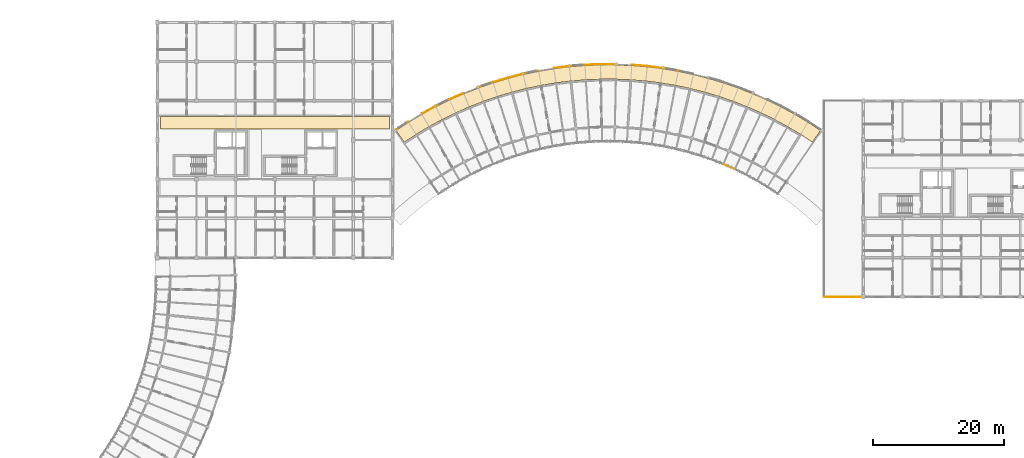
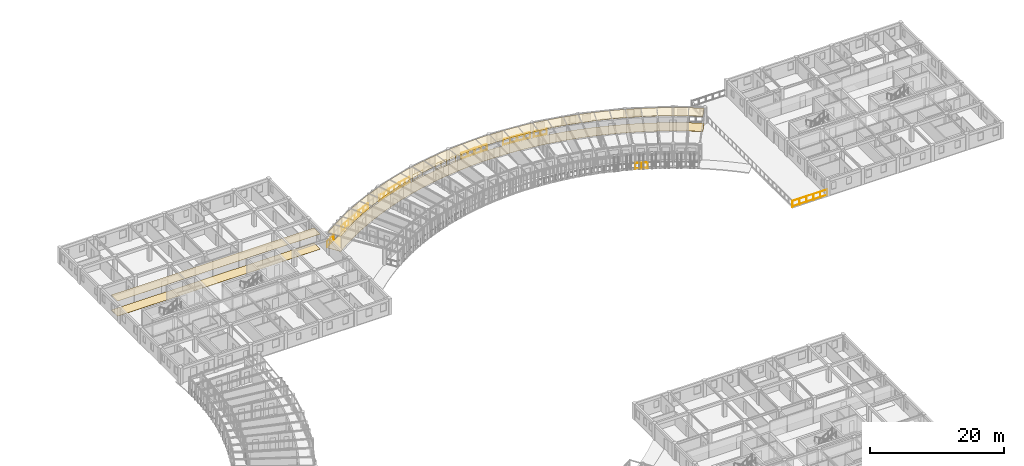
# One storey, part 98 of 101: 17 railings, 4 coverings.
"""IFC4 building model written with IfcOpenShell, lengths in metres."""

import ifcopenshell
import ifcopenshell.guid

model = None  # the IFC model being written
_history = None  # IfcOwnerHistory: only IFC2X3 demands one
_inside = {}  # id of a spatial element -> (the spatial element, [elements in it])
_under = {}  # id of a project, library or spatial element -> (it, [spatial elements below it])
_declared = {}  # id of a project -> (the project, [libraries it declares])
_typed = {}  # id of a type object -> (the type object, [elements of that type])
_made_of = {}  # id of a material, layer set ... -> (it, [elements and type objects made of it])


def new_model(schema):
    """Start an empty IFC model of exactly this schema.

    Asked for "IFC4X3", IfcOpenShell would pick the latest addendum, in which some entities
    have other attributes; the version numbers below select the first issue.
    IFC2X3 requires an IfcOwnerHistory on every rooted entity: one is made here for all.
    """
    global model, _history
    if schema == "IFC4X3":
        model = ifcopenshell.file(schema_version=(4, 3, 0, 0))
    else:
        model = ifcopenshell.file(schema=schema)
    _inside.clear()
    _under.clear()
    _declared.clear()
    _typed.clear()
    _made_of.clear()
    _history = None
    if model.schema == "IFC2X3":
        org = make("IfcOrganization", Name="unknown")
        user = make(
            "IfcPersonAndOrganization",
            ThePerson=make("IfcPerson", FamilyName="unknown"),
            TheOrganization=org,
        )
        app = make(
            "IfcApplication",
            ApplicationDeveloper=org,
            Version="unknown",
            ApplicationFullName="unknown",
            ApplicationIdentifier="unknown",
        )
        _history = make(
            "IfcOwnerHistory",
            OwningUser=user,
            OwningApplication=app,
            ChangeAction="ADDED",
            CreationDate=0,
        )
    return model


def make(cls, **values):
    """One entity of the class cls with the attributes given. An attribute that is None is left unset."""
    return model.create_entity(
        cls, **{name: value for name, value in values.items() if value is not None}
    )


def rooted(cls, **values):
    """An entity with a GlobalId (a new one), such as an element, a storey or a relation."""
    return make(cls, GlobalId=ifcopenshell.guid.new(), OwnerHistory=_history, **values)


def si_unit(unit_type, name, prefix=None):
    """IfcSIUnit, for example si_unit("LENGTHUNIT", "METRE", prefix="MILLI")."""
    return make("IfcSIUnit", UnitType=unit_type, Prefix=prefix, Name=name)


def assignment(units):
    """IfcUnitAssignment: the units of a project."""
    return None if units is None else make("IfcUnitAssignment", Units=units)


def point(xyz):
    """IfcCartesianPoint."""
    return None if xyz is None else make("IfcCartesianPoint", Coordinates=xyz)


def direction(xyz):
    """IfcDirection."""
    return None if xyz is None else make("IfcDirection", DirectionRatios=xyz)


def frame(location, z_axis=None, x_axis=None):
    """IfcAxis2Placement3D, a coordinate frame: its origin and axes. An axis left out is left unset."""
    return make(
        "IfcAxis2Placement3D",
        Location=point(location),
        Axis=direction(z_axis),
        RefDirection=direction(x_axis),
    )


def frame_2d(location, x_axis=None):
    """IfcAxis2Placement2D, a coordinate frame in the plane: its origin and x axis."""
    return make(
        "IfcAxis2Placement2D", Location=point(location), RefDirection=direction(x_axis)
    )


def origin():
    """The frame at (0, 0, 0) with its axes left unset."""
    return frame((0.0, 0.0, 0.0))


def origin_2d():
    """The frame at (0, 0) in the plane with its x axis left unset."""
    return frame_2d((0.0, 0.0))


def place(relative_to, where):
    """IfcLocalPlacement: puts the frame where relative to a parent placement (None: the world)."""
    return make(
        "IfcLocalPlacement", PlacementRelTo=relative_to, RelativePlacement=where
    )


def context(
    kind, dimensions, precision=None, world=None, true_north=None, identifier=None
):
    """IfcGeometricRepresentationContext, for example the 3D "Model" context."""
    return make(
        "IfcGeometricRepresentationContext",
        ContextIdentifier=identifier,
        ContextType=kind,
        CoordinateSpaceDimension=dimensions,
        Precision=precision,
        WorldCoordinateSystem=world,
        TrueNorth=true_north,
    )


def subcontext(parent, identifier, kind, view, scale=None):
    """IfcGeometricRepresentationSubContext, for example "Body" below "Model"."""
    return make(
        "IfcGeometricRepresentationSubContext",
        ContextIdentifier=identifier,
        ContextType=kind,
        ParentContext=parent,
        TargetScale=scale,
        TargetView=view,
    )


def project(units=None, contexts=None):
    """IfcProject with its units and contexts."""
    return rooted(
        "IfcProject",
        Name="project",
        RepresentationContexts=contexts,
        UnitsInContext=assignment(units),
    )


def spatial(cls, under=None, at=None, **own):
    """A site, building, storey or space (cls), placed at a placement, below another one or the project."""
    s = rooted(cls, ObjectPlacement=at, **own)
    if under is not None:
        _under.setdefault(under.id(), (under, []))[1].append(s)
    return s


def polyline(points):
    """IfcPolyline through the points."""
    return make("IfcPolyline", Points=[point(p) for p in points])


def profile(cls, at=None, kind="AREA", **sizes):
    """A parametric profile (cls). Its sizes go by their IFC names, for example OverallWidth=200.0."""
    return make(cls, ProfileType=kind, Position=at, **sizes)


def circle(**sizes):
    """IfcCircleProfileDef."""
    return profile("IfcCircleProfileDef", **sizes)


def outline(outer, holes=None, kind="AREA"):
    """IfcArbitraryClosedProfileDef: a profile drawn as a closed curve; with holes, ...WithVoids."""
    if holes is None:
        return make("IfcArbitraryClosedProfileDef", ProfileType=kind, OuterCurve=outer)
    return make(
        "IfcArbitraryProfileDefWithVoids",
        ProfileType=kind,
        OuterCurve=outer,
        InnerCurves=holes,
    )


def extrude(swept, where, along, depth):
    """IfcExtrudedAreaSolid: the profile swept, set in the frame where, extruded along a direction by depth."""
    return make(
        "IfcExtrudedAreaSolid",
        SweptArea=swept,
        Position=where,
        ExtrudedDirection=direction(along),
        Depth=depth,
    )


def shape(context_of_items, identifier, shape_type, items):
    """IfcShapeRepresentation: the items that make up one representation, for example the "Body"."""
    return make(
        "IfcShapeRepresentation",
        ContextOfItems=context_of_items,
        RepresentationIdentifier=identifier,
        RepresentationType=shape_type,
        Items=items,
    )


def material(Name=None, Category=None):
    """IfcMaterial."""
    return make("IfcMaterial", Name=Name, Category=Category)


def layer(
    of_material, thickness, ventilated=None, Name=None, Category=None, Priority=None
):
    """IfcMaterialLayer: one layer of a wall or slab, of a material (None: an air gap)."""
    return make(
        "IfcMaterialLayer",
        Material=of_material,
        LayerThickness=thickness,
        IsVentilated=ventilated,
        Name=Name,
        Category=Category,
        Priority=Priority,
    )


def layer_set(layers, Name=None):
    """IfcMaterialLayerSet."""
    return make("IfcMaterialLayerSet", MaterialLayers=layers, LayerSetName=Name)


def made_of(thing, what):
    """Note that an element or type object is made of a material, layer set ...; save() writes the relation."""
    if what is not None:
        _made_of.setdefault(what.id(), (what, []))[1].append(thing)
    return thing


def type_object(cls, material=None, **own):
    """A type object (cls), such as IfcWallType, which elements share."""
    return made_of(rooted(cls, **own), material)


def element(
    cls,
    number,
    at=None,
    inside=None,
    cuts=None,
    type_object=None,
    material=None,
    context=None,
    identifier="Body",
    shape_type=None,
    held_by="IfcProductDefinitionShape",
    body=None,
    shapes=None,
    **own,
):
    """One element of the class cls, such as IfcWall. Its Tag is "e" and its number.

    at: its placement. inside: the storey or other place that contains it. cuts: it is an
    opening in that element (IfcRelVoidsElement). A single representation is given by context,
    identifier, shape_type and body (its items); several are given by shapes. held_by: the class
    of the entity that holds the representations. save() writes the other relations.
    """
    e = rooted(cls, Tag="e%d" % number, ObjectPlacement=at, **own)
    if body is not None:
        shapes = [shape(context, identifier, shape_type, body)]
    if shapes is not None:
        e.Representation = make(held_by, Representations=shapes)
    if inside is not None:
        _inside.setdefault(inside.id(), (inside, []))[1].append(e)
    if cuts is not None:
        rooted(
            "IfcRelVoidsElement", RelatingBuildingElement=cuts, RelatedOpeningElement=e
        )
    if type_object is not None:
        _typed.setdefault(type_object.id(), (type_object, []))[1].append(e)
    return made_of(e, material)


def aggregate(whole, parts):
    """IfcRelAggregates: a whole, such as a stair, and the parts it consists of."""
    return rooted("IfcRelAggregates", RelatingObject=whole, RelatedObjects=parts)


def save(model, path):
    """Write the relations noted so far, then the file.

    IfcRelAggregates (storeys below a building ...), IfcRelContainedInSpatialStructure (elements
    in a storey), IfcRelDefinesByType, IfcRelAssociatesMaterial and IfcRelDeclares: one each for
    every whole, place, type object, material and project.
    """
    for whole, parts in _under.values():
        aggregate(whole, parts)
    for where, things in _inside.values():
        rooted(
            "IfcRelContainedInSpatialStructure",
            RelatedElements=things,
            RelatingStructure=where,
        )
    for kind, things in _typed.values():
        rooted("IfcRelDefinesByType", RelatedObjects=things, RelatingType=kind)
    for what, things in _made_of.values():
        rooted("IfcRelAssociatesMaterial", RelatedObjects=things, RelatingMaterial=what)
    for by, libraries in _declared.values():
        rooted("IfcRelDeclares", RelatingContext=by, RelatedDefinitions=libraries)
    model.write(path)


model = new_model("IFC4")

# Units and contexts
model_context = context("Model", 3, precision=1e-05, world=origin(), true_north=direction((0.0, 1.0)))
body_context = subcontext(model_context, "Body", "Model", "MODEL_VIEW")
ifc_project = project(units=[si_unit("LENGTHUNIT", "METRE"), si_unit("AREAUNIT", "SQUARE_METRE"), si_unit("VOLUMEUNIT", "CUBIC_METRE"), si_unit("PLANEANGLEUNIT", "RADIAN"), si_unit("MASSUNIT", "GRAM", prefix="KILO"), si_unit("POWERUNIT", "WATT"), si_unit("THERMODYNAMICTEMPERATUREUNIT", "KELVIN")], contexts=[model_context])

# Site, building, storey
site_placement = place(None, origin())
site = spatial("IfcSite", under=ifc_project, at=site_placement, CompositionType="ELEMENT")
building_placement = place(site_placement, origin())
building = spatial("IfcBuilding", under=site, at=building_placement, Name="Ruvembo Vaulted Housing Court", CompositionType="ELEMENT")
storey_placement = place(building_placement, frame((0.0, 0.0, 17.300048828125)))
storey = spatial("IfcBuildingStorey", under=building, at=storey_placement, Name="L05", CompositionType="ELEMENT", Elevation=17.300048828125)

# Coverings
ifc_material_1 = material(Name="Perforated Mineral-Fibre Acoustic Tile", Category="gypsum")
ifc_layer_1 = layer(ifc_material_1, 0.02001953125, Name="Perforated Mineral-Fibre Acoustic Tile")
ifc_layer_set_1 = layer_set([ifc_layer_1], Name="Perforated Mineral-Fibre Acoustic Tile")
covering_type_1 = type_object("IfcCoveringType", Name="COV-CEIL-ACOUST", PredefinedType="CEILING", material=ifc_layer_set_1)
covering_1_placement = place(storey_placement, frame((0.0, 0.0, 2.75)))
element("IfcCovering", 1, at=covering_1_placement, inside=storey, type_object=covering_type_1, Name="Block B L05 North Sub-Corridor Ceiling", PredefinedType="CEILING", context=body_context, shape_type="SweptSolid", body=[
    extrude(outline(polyline([(48.510009765625, 97.7099609375), (83.489990234375, 97.7099609375), (83.489990234375, 99.590087890625), (48.510009765625, 99.590087890625), (48.510009765625, 97.7099609375)])), origin(), (0.0, 0.0, 1.0), 0.02001953125),
])
covering_2_placement = place(storey_placement, frame((0.0, 0.0, 2.744873046875)))
element("IfcCovering", 2, at=covering_2_placement, inside=storey, type_object=covering_type_1, Name="Scoop SC3 L05 Shaded Access Gallery Ceiling", PredefinedType="CEILING", context=body_context, shape_type="SweptSolid", body=[
    extrude(outline(polyline([(87.599853515625, 96.848876953125), (87.603759765625, 96.851318359375), (89.5693359375, 98.02880859375), (89.5732421875, 98.031005859375), (91.5859375, 99.12548828125), (91.590087890625, 99.127685546875), (93.646484375, 100.137939453125), (93.650634765625, 100.139892578125), (95.747314453125, 101.06396484375), (95.751708984375, 101.065673828125), (97.884765625, 101.90185546875), (97.888916015625, 101.9033203125), (100.054931640625, 102.650390625), (100.059326171875, 102.65185546875), (102.25439453125, 103.30810546875), (102.2587890625, 103.309326171875), (104.4794921875, 103.874267578125), (104.48388671875, 103.875244140625), (106.725830078125, 104.347412109375), (106.73046875, 104.348388671875), (108.990234375, 104.72705078125), (108.99462890625, 104.7275390625), (111.26806640625, 105.01220703125), (111.272705078125, 105.0126953125), (113.55615234375, 105.20263671875), (113.560546875, 105.202880859375), (115.849853515625, 105.298095703125), (115.8544921875, 105.298095703125), (118.1455078125, 105.298095703125), (118.150146484375, 105.298095703125), (120.439453125, 105.202880859375), (120.44384765625, 105.20263671875), (122.727294921875, 105.0126953125), (122.73193359375, 105.01220703125), (125.00537109375, 104.7275390625), (125.009765625, 104.72705078125), (127.26953125, 104.348388671875), (127.274169921875, 104.347412109375), (129.51611328125, 103.875244140625), (129.5205078125, 103.874267578125), (131.7412109375, 103.309326171875), (131.74560546875, 103.30810546875), (133.940673828125, 102.65185546875), (133.945068359375, 102.650390625), (136.111083984375, 101.9033203125), (136.115234375, 101.90185546875), (138.248291015625, 101.065673828125), (138.252685546875, 101.06396484375), (140.349365234375, 100.139892578125), (140.353515625, 100.137939453125), (142.409912109375, 99.127685546875), (142.4140625, 99.12548828125), (144.4267578125, 98.031005859375), (144.4306640625, 98.02880859375), (146.396484375, 96.851318359375), (146.400390625, 96.848876953125), (148.22509765625, 95.650390625), (149.45947265625, 97.447021484375), (147.556884765625, 98.69677734375), (145.509765625, 99.9228515625), (143.41357421875, 101.06298828125), (141.271728515625, 102.114990234375), (139.088134765625, 103.077392578125), (136.866455078125, 103.948486328125), (134.610595703125, 104.726318359375), (132.324462890625, 105.409912109375), (130.01171875, 105.998046875), (127.6767578125, 106.489990234375), (125.3232421875, 106.88427734375), (122.955322265625, 107.1806640625), (120.577392578125, 107.378662109375), (118.193115234375, 107.4775390625), (115.806884765625, 107.4775390625), (113.422607421875, 107.378662109375), (111.044677734375, 107.1806640625), (108.6767578125, 106.88427734375), (106.3232421875, 106.489990234375), (103.98828125, 105.998046875), (101.675537109375, 105.409912109375), (99.389404296875, 104.726318359375), (97.133544921875, 103.948486328125), (94.911865234375, 103.077392578125), (92.728271484375, 102.114990234375), (90.58642578125, 101.06298828125), (88.490234375, 99.9228515625), (86.443115234375, 98.69677734375), (84.54052734375, 97.447021484375), (85.77490234375, 95.650390625), (87.599853515625, 96.848876953125)])), origin(), (0.0, 0.0, 1.0), 0.02001953125),
])
ifc_material_2 = material(Name="Polished Cement-Aggregate Terrazzo", Category="stone")
ifc_layer_2 = layer(ifc_material_2, 0.02197265625, Name="Polished Cement-Aggregate Terrazzo")
ifc_layer_set_2 = layer_set([ifc_layer_2], Name="Polished Cement-Aggregate Terrazzo")
covering_type_2 = type_object("IfcCoveringType", Name="COV-FLR-CERAMIC", PredefinedType="FLOORING", material=ifc_layer_set_2)
covering_3_placement = place(storey_placement, origin())
element("IfcCovering", 3, at=covering_3_placement, inside=storey, type_object=covering_type_2, Name="Block B L05 North Sub-Corridor Flooring", PredefinedType="FLOORING", context=body_context, shape_type="SweptSolid", body=[
    extrude(outline(polyline([(48.510009765625, 97.7099609375), (83.489990234375, 97.7099609375), (83.489990234375, 99.590087890625), (48.510009765625, 99.590087890625), (48.510009765625, 97.7099609375)])), origin(), (0.0, 0.0, 1.0), 0.02197265625),
])
covering_4_placement = place(storey_placement, origin())
element("IfcCovering", 4, at=covering_4_placement, inside=storey, type_object=covering_type_2, Name="Scoop SC3 L05 Shaded Access Gallery Flooring", PredefinedType="FLOORING", context=body_context, shape_type="SweptSolid", body=[
    extrude(outline(polyline([(87.599853515625, 96.848876953125), (87.603759765625, 96.851318359375), (89.5693359375, 98.02880859375), (89.5732421875, 98.031005859375), (91.5859375, 99.12548828125), (91.590087890625, 99.127685546875), (93.646484375, 100.137939453125), (93.650634765625, 100.139892578125), (95.747314453125, 101.06396484375), (95.751708984375, 101.065673828125), (97.884765625, 101.90185546875), (97.888916015625, 101.9033203125), (100.054931640625, 102.650390625), (100.059326171875, 102.65185546875), (102.25439453125, 103.30810546875), (102.2587890625, 103.309326171875), (104.4794921875, 103.874267578125), (104.48388671875, 103.875244140625), (106.725830078125, 104.347412109375), (106.73046875, 104.348388671875), (108.990234375, 104.72705078125), (108.99462890625, 104.7275390625), (111.26806640625, 105.01220703125), (111.272705078125, 105.0126953125), (113.55615234375, 105.20263671875), (113.560546875, 105.202880859375), (115.849853515625, 105.298095703125), (115.8544921875, 105.298095703125), (118.1455078125, 105.298095703125), (118.150146484375, 105.298095703125), (120.439453125, 105.202880859375), (120.44384765625, 105.20263671875), (122.727294921875, 105.0126953125), (122.73193359375, 105.01220703125), (125.00537109375, 104.7275390625), (125.009765625, 104.72705078125), (127.26953125, 104.348388671875), (127.274169921875, 104.347412109375), (129.51611328125, 103.875244140625), (129.5205078125, 103.874267578125), (131.7412109375, 103.309326171875), (131.74560546875, 103.30810546875), (133.940673828125, 102.65185546875), (133.945068359375, 102.650390625), (136.111083984375, 101.9033203125), (136.115234375, 101.90185546875), (138.248291015625, 101.065673828125), (138.252685546875, 101.06396484375), (140.349365234375, 100.139892578125), (140.353515625, 100.137939453125), (142.409912109375, 99.127685546875), (142.4140625, 99.12548828125), (144.4267578125, 98.031005859375), (144.4306640625, 98.02880859375), (146.396484375, 96.851318359375), (146.400390625, 96.848876953125), (148.22509765625, 95.650390625), (149.45947265625, 97.447021484375), (147.556884765625, 98.69677734375), (145.509765625, 99.9228515625), (143.41357421875, 101.06298828125), (141.271728515625, 102.114990234375), (139.088134765625, 103.077392578125), (136.866455078125, 103.948486328125), (134.610595703125, 104.726318359375), (132.324462890625, 105.409912109375), (130.01171875, 105.998046875), (127.6767578125, 106.489990234375), (125.3232421875, 106.88427734375), (122.955322265625, 107.1806640625), (120.577392578125, 107.378662109375), (118.193115234375, 107.4775390625), (115.806884765625, 107.4775390625), (113.422607421875, 107.378662109375), (111.044677734375, 107.1806640625), (108.6767578125, 106.88427734375), (106.3232421875, 106.489990234375), (103.98828125, 105.998046875), (101.675537109375, 105.409912109375), (99.389404296875, 104.726318359375), (97.133544921875, 103.948486328125), (94.911865234375, 103.077392578125), (92.728271484375, 102.114990234375), (90.58642578125, 101.06298828125), (88.490234375, 99.9228515625), (86.443115234375, 98.69677734375), (84.54052734375, 97.447021484375), (85.77490234375, 95.650390625), (87.599853515625, 96.848876953125)])), origin(), (0.0, 0.0, 1.0), 0.02197265625),
])

# Railings
ifc_material_3 = material(Name="Galvanised Painted Steel and Laminated Glass", Category="steel")
ifc_layer_3 = layer(ifc_material_3, 0.070068359375, Name="Galvanised Painted Steel and Laminated Glass")
ifc_layer_set_3 = layer_set([ifc_layer_3], Name="Galvanised Painted Steel and Laminated Glass")
railing_type_1 = type_object("IfcRailingType", Name="RL-BALUST-1120", PredefinedType="BALUSTRADE", material=ifc_layer_set_3)
railing_1_placement = place(storey_placement, frame((156.0, 72.0, 0.0)))
element("IfcRailing", 5, at=railing_1_placement, inside=storey, type_object=railing_type_1, Name="L05 Perimeter Guard RL-EXT-L05-0013", PredefinedType="BALUSTRADE", context=body_context, shape_type="SweptSolid", body=[
    extrude(circle(Radius=0.02392578125, at=origin_2d()), frame((0.0, 0.0, 1.09619140625), z_axis=(-1.0, 0.0, 0.0), x_axis=(0.0, -1.0, 0.0)), (0.0, 0.0, 1.0), 6.0),
    extrude(circle(Radius=0.01806640625, at=origin_2d()), frame((0.0, 0.0, 0.1201171875), z_axis=(-1.0, 0.0, 0.0), x_axis=(0.0, -1.0, 0.0)), (0.0, 0.0, 1.0), 6.0),
    extrude(circle(Radius=0.02099609375, at=origin_2d()), origin(), (0.0, 0.0, 1.0), 1.072021484375),
    extrude(circle(Radius=0.02099609375, at=origin_2d()), frame((-1.199951171875, 0.0, 0.0)), (0.0, 0.0, 1.0), 1.072021484375),
    extrude(circle(Radius=0.02099609375, at=origin_2d()), frame((-2.39990234375, 0.0, 0.0)), (0.0, 0.0, 1.0), 1.072021484375),
    extrude(circle(Radius=0.02099609375, at=origin_2d()), frame((-3.60009765625, 0.0, 0.0)), (0.0, 0.0, 1.0), 1.072021484375),
    extrude(circle(Radius=0.02099609375, at=origin_2d()), frame((-4.800048828125, 0.0, 0.0)), (0.0, 0.0, 1.0), 1.072021484375),
    extrude(circle(Radius=0.02099609375, at=origin_2d()), frame((-6.0, 0.0, 0.0)), (0.0, 0.0, 1.0), 1.072021484375),
])
railing_2_placement = place(storey_placement, frame((84.636962890625, 97.64208984375, 0.0)))
element("IfcRailing", 6, at=railing_2_placement, inside=storey, type_object=railing_type_1, Name="L05 Perimeter Guard RL-EXT-L05-0801", PredefinedType="BALUSTRADE", context=body_context, shape_type="SweptSolid", body=[
    extrude(circle(Radius=0.02392578125, at=origin_2d()), frame((0.0, 0.0, 1.09619140625), z_axis=(0.835840359874, 0.548972579284, 0.0), x_axis=(-0.548972579284, 0.835840359874, 0.0)), (0.0, 0.0, 1.0), 2.040771484375),
    extrude(circle(Radius=0.01806640625, at=origin_2d()), frame((0.0, 0.0, 0.1201171875), z_axis=(0.835840359874, 0.548972579284, 0.0), x_axis=(-0.548972579284, 0.835840359874, 0.0)), (0.0, 0.0, 1.0), 2.040771484375),
    extrude(circle(Radius=0.02099609375, at=origin_2d()), origin(), (0.0, 0.0, 1.0), 1.072021484375),
    extrude(circle(Radius=0.02099609375, at=origin_2d()), frame((0.85302734375, 0.56005859375, 0.0)), (0.0, 0.0, 1.0), 1.072021484375),
    extrude(circle(Radius=0.02099609375, at=origin_2d()), frame((1.705810546875, 1.120361328125, 0.0)), (0.0, 0.0, 1.0), 1.072021484375),
])
railing_3_placement = place(storey_placement, frame((88.4794921875, 100.042236328125, 0.0)))
element("IfcRailing", 7, at=railing_3_placement, inside=storey, type_object=railing_type_1, Name="L05 Perimeter Guard RL-EXT-L05-0802", PredefinedType="BALUSTRADE", context=body_context, shape_type="SweptSolid", body=[
    extrude(circle(Radius=0.02392578125, at=origin_2d()), frame((0.0, 0.0, 1.09619140625), z_axis=(0.878489187203, 0.477762229533, 0.0), x_axis=(-0.477762229533, 0.878489187203, 0.0)), (0.0, 0.0, 1.0), 2.041015625),
    extrude(circle(Radius=0.01806640625, at=origin_2d()), frame((0.0, 0.0, 0.1201171875), z_axis=(0.878489187203, 0.477762229533, 0.0), x_axis=(-0.477762229533, 0.878489187203, 0.0)), (0.0, 0.0, 1.0), 2.041015625),
    extrude(circle(Radius=0.02099609375, at=origin_2d()), origin(), (0.0, 0.0, 1.0), 1.072021484375),
    extrude(circle(Radius=0.02099609375, at=origin_2d()), frame((0.896484375, 0.487548828125, 0.0)), (0.0, 0.0, 1.0), 1.072021484375),
    extrude(circle(Radius=0.02099609375, at=origin_2d()), frame((1.79296875, 0.97509765625, 0.0)), (0.0, 0.0, 1.0), 1.072021484375),
])
railing_4_placement = place(storey_placement, frame((90.80517578125, 101.29296875, 0.0)))
element("IfcRailing", 8, at=railing_4_placement, inside=storey, type_object=railing_type_1, Name="L05 Perimeter Guard RL-EXT-L05-0803", PredefinedType="BALUSTRADE", context=body_context, shape_type="SweptSolid", body=[
    extrude(circle(Radius=0.02392578125, at=origin_2d()), frame((0.0, 0.0, 1.09619140625), z_axis=(0.897539376621, 0.440934311905, 0.0), x_axis=(-0.440934311905, 0.897539376621, 0.0)), (0.0, 0.0, 1.0), 2.041015625),
    extrude(circle(Radius=0.01806640625, at=origin_2d()), frame((0.0, 0.0, 0.1201171875), z_axis=(0.897539376621, 0.440934311905, 0.0), x_axis=(-0.440934311905, 0.897539376621, 0.0)), (0.0, 0.0, 1.0), 2.041015625),
    extrude(circle(Radius=0.02099609375, at=origin_2d()), origin(), (0.0, 0.0, 1.0), 1.072021484375),
    extrude(circle(Radius=0.02099609375, at=origin_2d()), frame((0.916015625, 0.449951171875, 0.0)), (0.0, 0.0, 1.0), 1.072021484375),
    extrude(circle(Radius=0.02099609375, at=origin_2d()), frame((1.831787109375, 0.89990234375, 0.0)), (0.0, 0.0, 1.0), 1.072021484375),
])
railing_5_placement = place(storey_placement, frame((92.7275390625, 102.235107421875, 0.0)))
element("IfcRailing", 9, at=railing_5_placement, inside=storey, type_object=railing_type_1, Name="L05 Perimeter Guard RL-EXT-L05-0804", PredefinedType="BALUSTRADE", context=body_context, shape_type="SweptSolid", body=[
    extrude(circle(Radius=0.02392578125, at=origin_2d()), frame((0.0, 0.0, 1.09619140625), z_axis=(0.915112182251, 0.403199322788, 0.0), x_axis=(-0.403199322788, 0.915112182251, 0.0)), (0.0, 0.0, 1.0), 2.29052734375),
    extrude(circle(Radius=0.01806640625, at=origin_2d()), frame((0.0, 0.0, 0.1201171875), z_axis=(0.915112182251, 0.403199322788, 0.0), x_axis=(-0.403199322788, 0.915112182251, 0.0)), (0.0, 0.0, 1.0), 2.29052734375),
    extrude(circle(Radius=0.02099609375, at=origin_2d()), origin(), (0.0, 0.0, 1.0), 1.072021484375),
    extrude(circle(Radius=0.02099609375, at=origin_2d()), frame((1.048095703125, 0.4619140625, 0.0)), (0.0, 0.0, 1.0), 1.072021484375),
    extrude(circle(Radius=0.02099609375, at=origin_2d()), frame((2.09619140625, 0.923583984375, 0.0)), (0.0, 0.0, 1.0), 1.072021484375),
])
railing_6_placement = place(storey_placement, frame((97.379150390625, 104.1494140625, 0.0)))
element("IfcRailing", 10, at=railing_6_placement, inside=storey, type_object=railing_type_1, Name="L05 Perimeter Guard RL-EXT-L05-0805", PredefinedType="BALUSTRADE", context=body_context, shape_type="SweptSolid", body=[
    extrude(circle(Radius=0.02392578125, at=origin_2d()), frame((0.0, 0.0, 1.09619140625), z_axis=(0.945366624572, 0.326009118193, 0.0), x_axis=(-0.326009118193, 0.945366624572, 0.0)), (0.0, 0.0, 1.0), 2.040771484375),
    extrude(circle(Radius=0.01806640625, at=origin_2d()), frame((0.0, 0.0, 0.1201171875), z_axis=(0.945366624572, 0.326009118193, 0.0), x_axis=(-0.326009118193, 0.945366624572, 0.0)), (0.0, 0.0, 1.0), 2.040771484375),
    extrude(circle(Radius=0.02099609375, at=origin_2d()), origin(), (0.0, 0.0, 1.0), 1.072021484375),
    extrude(circle(Radius=0.02099609375, at=origin_2d()), frame((0.964599609375, 0.33251953125, 0.0)), (0.0, 0.0, 1.0), 1.072021484375),
    extrude(circle(Radius=0.02099609375, at=origin_2d()), frame((1.92919921875, 0.665283203125, 0.0)), (0.0, 0.0, 1.0), 1.072021484375),
])
railing_7_placement = place(storey_placement, frame((99.403564453125, 104.84521484375, 0.0)))
element("IfcRailing", 11, at=railing_7_placement, inside=storey, type_object=railing_type_1, Name="L05 Perimeter Guard RL-EXT-L05-0806", PredefinedType="BALUSTRADE", context=body_context, shape_type="SweptSolid", body=[
    extrude(circle(Radius=0.02392578125, at=origin_2d()), frame((0.0, 0.0, 1.09619140625), z_axis=(0.958060614502, 0.28656562763, 0.0), x_axis=(-0.28656562763, 0.958060614502, 0.0)), (0.0, 0.0, 1.0), 2.291015625),
    extrude(circle(Radius=0.01806640625, at=origin_2d()), frame((0.0, 0.0, 0.1201171875), z_axis=(0.958060614502, 0.28656562763, 0.0), x_axis=(-0.28656562763, 0.958060614502, 0.0)), (0.0, 0.0, 1.0), 2.291015625),
    extrude(circle(Radius=0.02099609375, at=origin_2d()), origin(), (0.0, 0.0, 1.0), 1.072021484375),
    extrude(circle(Radius=0.02099609375, at=origin_2d()), frame((1.097412109375, 0.328125, 0.0)), (0.0, 0.0, 1.0), 1.072021484375),
    extrude(circle(Radius=0.02099609375, at=origin_2d()), frame((2.19482421875, 0.656494140625, 0.0)), (0.0, 0.0, 1.0), 1.072021484375),
])
railing_8_placement = place(storey_placement, frame((101.69482421875, 105.5283203125, 0.0)))
element("IfcRailing", 12, at=railing_8_placement, inside=storey, type_object=railing_type_1, Name="L05 Perimeter Guard RL-EXT-L05-0807", PredefinedType="BALUSTRADE", context=body_context, shape_type="SweptSolid", body=[
    extrude(circle(Radius=0.02392578125, at=origin_2d()), frame((0.0, 0.0, 1.09619140625), z_axis=(0.969127844762, 0.246558756703, 0.0), x_axis=(-0.246558756703, 0.969127844762, 0.0)), (0.0, 0.0, 1.0), 2.040771484375),
    extrude(circle(Radius=0.01806640625, at=origin_2d()), frame((0.0, 0.0, 0.1201171875), z_axis=(0.969127844762, 0.246558756703, 0.0), x_axis=(-0.246558756703, 0.969127844762, 0.0)), (0.0, 0.0, 1.0), 2.040771484375),
    extrude(circle(Radius=0.02099609375, at=origin_2d()), origin(), (0.0, 0.0, 1.0), 1.072021484375),
    extrude(circle(Radius=0.02099609375, at=origin_2d()), frame((0.98876953125, 0.25146484375, 0.0)), (0.0, 0.0, 1.0), 1.072021484375),
    extrude(circle(Radius=0.02099609375, at=origin_2d()), frame((1.977783203125, 0.503173828125, 0.0)), (0.0, 0.0, 1.0), 1.072021484375),
])
railing_9_placement = place(storey_placement, frame((104.257080078125, 106.1669921875, 0.0)))
element("IfcRailing", 13, at=railing_9_placement, inside=storey, type_object=railing_type_1, Name="L05 Perimeter Guard RL-EXT-L05-0808", PredefinedType="BALUSTRADE", context=body_context, shape_type="SweptSolid", body=[
    extrude(circle(Radius=0.02392578125, at=origin_2d()), frame((0.0, 0.0, 1.09619140625), z_axis=(0.978523119945, 0.20613709936, 0.0), x_axis=(-0.20613709936, 0.978523119945, 0.0)), (0.0, 0.0, 1.0), 2.040771484375),
    extrude(circle(Radius=0.01806640625, at=origin_2d()), frame((0.0, 0.0, 0.1201171875), z_axis=(0.978523119945, 0.20613709936, 0.0), x_axis=(-0.20613709936, 0.978523119945, 0.0)), (0.0, 0.0, 1.0), 2.040771484375),
    extrude(circle(Radius=0.02099609375, at=origin_2d()), origin(), (0.0, 0.0, 1.0), 1.072021484375),
    extrude(circle(Radius=0.02099609375, at=origin_2d()), frame((0.99853515625, 0.21044921875, 0.0)), (0.0, 0.0, 1.0), 1.072021484375),
    extrude(circle(Radius=0.02099609375, at=origin_2d()), frame((1.996826171875, 0.420654296875, 0.0)), (0.0, 0.0, 1.0), 1.072021484375),
])
railing_10_placement = place(storey_placement, frame((108.71044921875, 106.99951171875, 0.0)))
element("IfcRailing", 14, at=railing_10_placement, inside=storey, type_object=railing_type_1, Name="L05 Perimeter Guard RL-EXT-L05-0809", PredefinedType="BALUSTRADE", context=body_context, shape_type="SweptSolid", body=[
    extrude(circle(Radius=0.02392578125, at=origin_2d()), frame((0.0, 0.0, 1.09619140625), z_axis=(0.992276036245, 0.124049457455, 0.0), x_axis=(-0.124049457455, 0.992276036245, 0.0)), (0.0, 0.0, 1.0), 2.041015625),
    extrude(circle(Radius=0.01806640625, at=origin_2d()), frame((0.0, 0.0, 0.1201171875), z_axis=(0.992276036245, 0.124049457455, 0.0), x_axis=(-0.124049457455, 0.992276036245, 0.0)), (0.0, 0.0, 1.0), 2.041015625),
    extrude(circle(Radius=0.02099609375, at=origin_2d()), origin(), (0.0, 0.0, 1.0), 1.072021484375),
    extrude(circle(Radius=0.02099609375, at=origin_2d()), frame((1.0126953125, 0.12646484375, 0.0)), (0.0, 0.0, 1.0), 1.072021484375),
    extrude(circle(Radius=0.02099609375, at=origin_2d()), frame((2.025146484375, 0.253173828125, 0.0)), (0.0, 0.0, 1.0), 1.072021484375),
])
railing_11_placement = place(storey_placement, frame((111.332275390625, 107.31494140625, 0.0)))
element("IfcRailing", 15, at=railing_11_placement, inside=storey, type_object=railing_type_1, Name="L05 Perimeter Guard RL-EXT-L05-0810", PredefinedType="BALUSTRADE", context=body_context, shape_type="SweptSolid", body=[
    extrude(circle(Radius=0.02392578125, at=origin_2d()), frame((0.0, 0.0, 1.09619140625), z_axis=(0.996547408166, 0.083025678423, 0.0), x_axis=(-0.083025678423, 0.996547408166, 0.0)), (0.0, 0.0, 1.0), 2.040771484375),
    extrude(circle(Radius=0.01806640625, at=origin_2d()), frame((0.0, 0.0, 0.1201171875), z_axis=(0.996547408166, 0.083025678423, 0.0), x_axis=(-0.083025678423, 0.996547408166, 0.0)), (0.0, 0.0, 1.0), 2.040771484375),
    extrude(circle(Radius=0.02099609375, at=origin_2d()), origin(), (0.0, 0.0, 1.0), 1.072021484375),
    extrude(circle(Radius=0.02099609375, at=origin_2d()), frame((1.016845703125, 0.084716796875, 0.0)), (0.0, 0.0, 1.0), 1.072021484375),
    extrude(circle(Radius=0.02099609375, at=origin_2d()), frame((2.03369140625, 0.16943359375, 0.0)), (0.0, 0.0, 1.0), 1.072021484375),
])
railing_12_placement = place(storey_placement, frame((113.4658203125, 107.490478515625, 0.0)))
element("IfcRailing", 16, at=railing_12_placement, inside=storey, type_object=railing_type_1, Name="L05 Perimeter Guard RL-EXT-L05-0811", PredefinedType="BALUSTRADE", context=body_context, shape_type="SweptSolid", body=[
    extrude(circle(Radius=0.02392578125, at=origin_2d()), frame((0.0, 0.0, 1.09619140625), z_axis=(0.999140261642, 0.041457659923, 0.0), x_axis=(-0.041457659923, 0.999140261642, 0.0)), (0.0, 0.0, 1.0), 2.290771484375),
    extrude(circle(Radius=0.01806640625, at=origin_2d()), frame((0.0, 0.0, 0.1201171875), z_axis=(0.999140261642, 0.041457659923, 0.0), x_axis=(-0.041457659923, 0.999140261642, 0.0)), (0.0, 0.0, 1.0), 2.290771484375),
    extrude(circle(Radius=0.02099609375, at=origin_2d()), origin(), (0.0, 0.0, 1.0), 1.072021484375),
    extrude(circle(Radius=0.02099609375, at=origin_2d()), frame((1.14453125, 0.04736328125, 0.0)), (0.0, 0.0, 1.0), 1.072021484375),
    extrude(circle(Radius=0.02099609375, at=origin_2d()), frame((2.288818359375, 0.094970703125, 0.0)), (0.0, 0.0, 1.0), 1.072021484375),
])
railing_13_placement = place(storey_placement, frame((115.8544921875, 107.587646484375, 0.0)))
element("IfcRailing", 17, at=railing_13_placement, inside=storey, type_object=railing_type_1, Name="L05 Perimeter Guard RL-EXT-L05-0812", PredefinedType="BALUSTRADE", context=body_context, shape_type="SweptSolid", body=[
    extrude(circle(Radius=0.02392578125, at=origin_2d()), frame((0.0, 0.0, 1.09619140625), z_axis=(1.0, 0.0, 0.0), x_axis=(0.0, 1.0, 0.0)), (0.0, 0.0, 1.0), 2.041015625),
    extrude(circle(Radius=0.01806640625, at=origin_2d()), frame((0.0, 0.0, 0.1201171875), z_axis=(1.0, 0.0, 0.0), x_axis=(0.0, 1.0, 0.0)), (0.0, 0.0, 1.0), 2.041015625),
    extrude(circle(Radius=0.02099609375, at=origin_2d()), origin(), (0.0, 0.0, 1.0), 1.072021484375),
    extrude(circle(Radius=0.02099609375, at=origin_2d()), frame((1.0205078125, 0.0, 0.0)), (0.0, 0.0, 1.0), 1.072021484375),
    extrude(circle(Radius=0.02099609375, at=origin_2d()), frame((2.041015625, 0.0, 0.0)), (0.0, 0.0, 1.0), 1.072021484375),
])
railing_14_placement = place(storey_placement, frame((120.634033203125, 107.484375, 0.0)))
element("IfcRailing", 18, at=railing_14_placement, inside=storey, type_object=railing_type_1, Name="L05 Perimeter Guard RL-EXT-L05-0813", PredefinedType="BALUSTRADE", context=body_context, shape_type="SweptSolid", body=[
    extrude(circle(Radius=0.02392578125, at=origin_2d()), frame((0.0, 0.0, 1.09619140625), z_axis=(0.996547962816, -0.08301902075, 0.0), x_axis=(0.08301902075, 0.996547962816, 0.0)), (0.0, 0.0, 1.0), 2.290771484375),
    extrude(circle(Radius=0.01806640625, at=origin_2d()), frame((0.0, 0.0, 0.1201171875), z_axis=(0.996547962816, -0.08301902075, 0.0), x_axis=(0.08301902075, 0.996547962816, 0.0)), (0.0, 0.0, 1.0), 2.290771484375),
    extrude(circle(Radius=0.02099609375, at=origin_2d()), origin(), (0.0, 0.0, 1.0), 1.072021484375),
    extrude(circle(Radius=0.02099609375, at=origin_2d()), frame((1.1416015625, -0.09521484375, 0.0)), (0.0, 0.0, 1.0), 1.072021484375),
    extrude(circle(Radius=0.02099609375, at=origin_2d()), frame((2.282958984375, -0.190185546875, 0.0)), (0.0, 0.0, 1.0), 1.072021484375),
])
railing_15_placement = place(storey_placement, frame((123.016357421875, 107.283935546875, 0.0)))
element("IfcRailing", 19, at=railing_15_placement, inside=storey, type_object=railing_type_1, Name="L05 Perimeter Guard RL-EXT-L05-0814", PredefinedType="BALUSTRADE", context=body_context, shape_type="SweptSolid", body=[
    extrude(circle(Radius=0.02392578125, at=origin_2d()), frame((0.0, 0.0, 1.09619140625), z_axis=(0.992261304874, -0.124167237427, 0.0), x_axis=(0.124167237427, 0.992261304874, 0.0)), (0.0, 0.0, 1.0), 2.041015625),
    extrude(circle(Radius=0.01806640625, at=origin_2d()), frame((0.0, 0.0, 0.1201171875), z_axis=(0.992261304874, -0.124167237427, 0.0), x_axis=(0.124167237427, 0.992261304874, 0.0)), (0.0, 0.0, 1.0), 2.041015625),
    extrude(circle(Radius=0.02099609375, at=origin_2d()), origin(), (0.0, 0.0, 1.0), 1.072021484375),
    extrude(circle(Radius=0.02099609375, at=origin_2d()), frame((1.0126953125, -0.126708984375, 0.0)), (0.0, 0.0, 1.0), 1.072021484375),
    extrude(circle(Radius=0.02099609375, at=origin_2d()), frame((2.025146484375, -0.25341796875, 0.0)), (0.0, 0.0, 1.0), 1.072021484375),
])
railing_16_placement = place(storey_placement, frame((125.635009765625, 106.943603515625, 0.0)))
element("IfcRailing", 20, at=railing_16_placement, inside=storey, type_object=railing_type_1, Name="L05 Perimeter Guard RL-EXT-L05-0815", PredefinedType="BALUSTRADE", context=body_context, shape_type="SweptSolid", body=[
    extrude(circle(Radius=0.02392578125, at=origin_2d()), frame((0.0, 0.0, 1.09619140625), z_axis=(0.986238287278, -0.165330096193, 0.0), x_axis=(0.165330096193, 0.986238287278, 0.0)), (0.0, 0.0, 1.0), 2.040771484375),
    extrude(circle(Radius=0.01806640625, at=origin_2d()), frame((0.0, 0.0, 0.1201171875), z_axis=(0.986238287278, -0.165330096193, 0.0), x_axis=(0.165330096193, 0.986238287278, 0.0)), (0.0, 0.0, 1.0), 2.040771484375),
    extrude(circle(Radius=0.02099609375, at=origin_2d()), origin(), (0.0, 0.0, 1.0), 1.072021484375),
    extrude(circle(Radius=0.02099609375, at=origin_2d()), frame((1.00634765625, -0.168701171875, 0.0)), (0.0, 0.0, 1.0), 1.072021484375),
    extrude(circle(Radius=0.02099609375, at=origin_2d()), frame((2.0126953125, -0.33740234375, 0.0)), (0.0, 0.0, 1.0), 1.072021484375),
])
ifc_material_4 = material(Name="Galvanised Painted Steel S275", Category="steel")
ifc_layer_4 = layer(ifc_material_4, 0.06005859375, Name="Galvanised Painted Steel S275")
ifc_layer_set_4 = layer_set([ifc_layer_4], Name="Galvanised Painted Steel S275")
railing_type_2 = type_object("IfcRailingType", Name="RL-GUARD-1100", PredefinedType="GUARDRAIL", material=ifc_layer_set_4)
railing_17_placement = place(storey_placement, frame((134.5966796875, 92.28466796875, 0.0)))
element("IfcRailing", 21, at=railing_17_placement, inside=storey, type_object=railing_type_2, Name="L05 Perimeter Guard RL-EXT-L05-0795", PredefinedType="GUARDRAIL", context=body_context, shape_type="SweptSolid", body=[
    extrude(circle(Radius=0.02392578125, at=origin_2d()), frame((0.0, 0.0, 1.076171875), z_axis=(0.91507815309, -0.403276547467, 0.0), x_axis=(0.403276547467, 0.91507815309, 0.0)), (0.0, 0.0, 1.0), 1.90087890625),
    extrude(circle(Radius=0.01806640625, at=origin_2d()), frame((0.0, 0.0, 0.1201171875), z_axis=(0.91507815309, -0.403276547467, 0.0), x_axis=(0.403276547467, 0.91507815309, 0.0)), (0.0, 0.0, 1.0), 1.90087890625),
    extrude(circle(Radius=0.02099609375, at=origin_2d()), origin(), (0.0, 0.0, 1.0), 1.052001953125),
    extrude(circle(Radius=0.02099609375, at=origin_2d()), frame((0.86962890625, -0.38330078125, 0.0)), (0.0, 0.0, 1.0), 1.052001953125),
    extrude(circle(Radius=0.02099609375, at=origin_2d()), frame((1.739501953125, -0.7666015625, 0.0)), (0.0, 0.0, 1.0), 1.052001953125),
])

save(model, "model.ifc")
